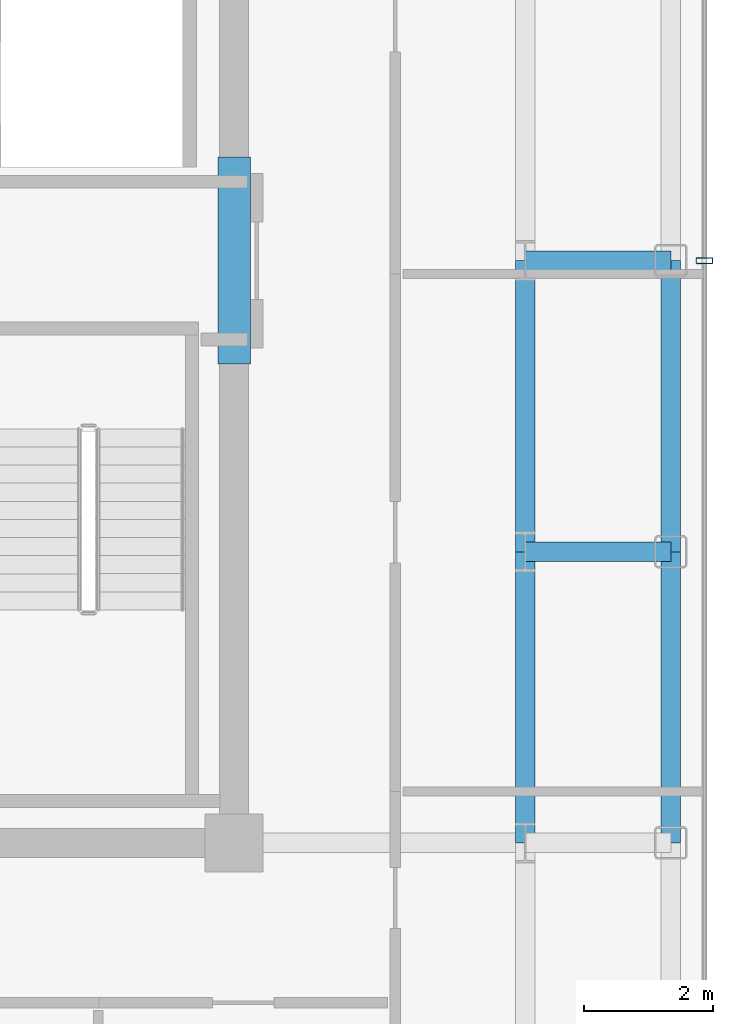
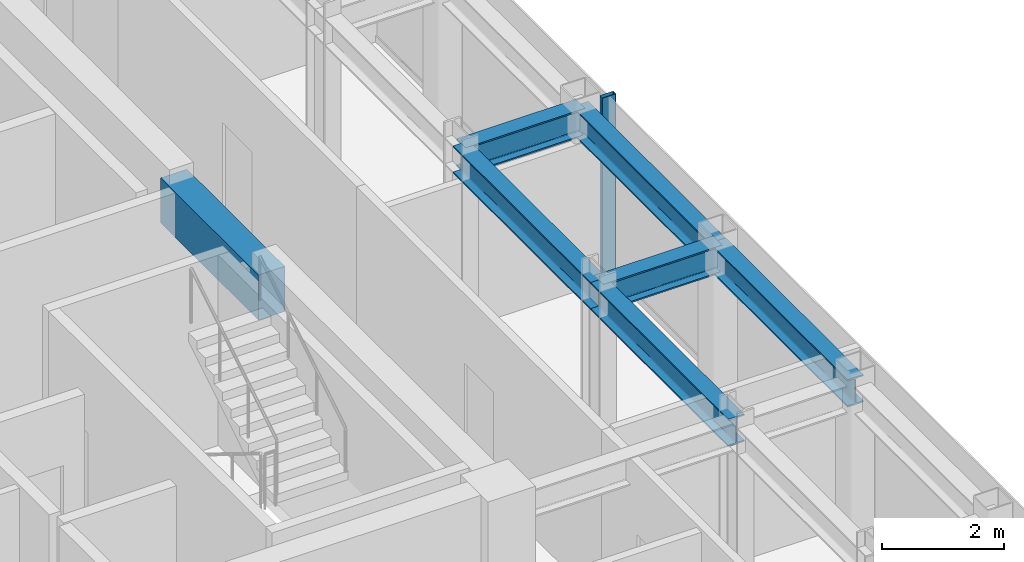
# One storey, part 7 of 18: 7 beams, 1 member, 1 element without a shape of its own.
"""IFC4 building model written with IfcOpenShell, lengths in metres."""

from ifc_helpers import new_model, si_unit, direction, frame, origin, origin_2d, place, context, subcontext, project, spatial, rectangle, hollow_rectangle, i_section, extrude, source, transform, mapped, material, layer, layer_set, material_profile, profile_set, type_object, element, aggregate, save


model = new_model("IFC4")

# Units and contexts
model_context = context("Model", 3, precision=1e-05, world=origin(), true_north=direction((0.0, 1.0)))
body_context = subcontext(model_context, "Body", "Model", "MODEL_VIEW")
ifc_project = project(units=[si_unit("LENGTHUNIT", "METRE"), si_unit("AREAUNIT", "SQUARE_METRE"), si_unit("VOLUMEUNIT", "CUBIC_METRE"), si_unit("PLANEANGLEUNIT", "RADIAN"), si_unit("MASSUNIT", "GRAM", prefix="KILO")], contexts=[model_context])

# Site, building, storey
site_placement = place(None, origin())
site = spatial("IfcSite", under=ifc_project, at=site_placement, CompositionType="ELEMENT")
building_placement = place(site_placement, origin())
building = spatial("IfcBuilding", under=site, at=building_placement, Name="Nefas-Gora Pilgrimage Tower", CompositionType="ELEMENT")
storey_placement = place(building_placement, frame((0.0, 0.0, 314.0)))
storey = spatial("IfcBuildingStorey", under=building, at=storey_placement, Name="L79", CompositionType="ELEMENT", Elevation=314.0)

# Beams
ifc_material_1 = material(Name="Concrete C50/60", Category="concrete")
ifc_material_profile_1 = material_profile(ifc_material_1, rectangle(XDim=0.5, YDim=0.89990234375, at=origin_2d()), Name="RC 500x900")
ifc_profile_set_1 = profile_set([ifc_material_profile_1], Name="Concrete C50/60")
beam_type_1 = type_object("IfcBeamType", Name="BM-LIN-RC900", PredefinedType="LINTEL", material=ifc_profile_set_1)
shared_shape_1 = source(origin(), body_context, "Body", "SweptSolid", [
    extrude(rectangle(XDim=0.5, YDim=0.89990234375, at=origin_2d()), origin(), (0.0, 0.0, 1.0), 3.2001953125),
])
beam_placement = place(storey_placement, frame((11.25, -1.60009765625, 3.050048828125), z_axis=(0.0, 1.0, 0.0), x_axis=(-1.0, 0.0, 0.0)))
element("IfcBeam", 1, at=beam_placement, inside=storey, type_object=beam_type_1, Name="L79 Core Coupling Lintel Beam E", PredefinedType="LINTEL", context=body_context, shape_type="MappedRepresentation", body=[
    mapped(shared_shape_1, transform((0.0, 0.0, 0.0), x_axis=(1.0, 0.0, 0.0), y_axis=(0.0, 1.0, 0.0), z_axis=(0.0, 0.0, 1.0), scale=1.0)),
])
ifc_material_2 = material(Name="Steel S355", Category="steel")
ifc_material_profile_2 = material_profile(ifc_material_2, i_section(OverallWidth=0.300048828125, OverallDepth=0.550048828125, WebThickness=0.014892578125, FlangeThickness=0.029052734375, FilletRadius=0.027099609375, at=origin_2d()), Name="HEB 550")
ifc_profile_set_2 = profile_set([ifc_material_profile_2], Name="Steel S355")
beam_type_2 = type_object("IfcBeamType", Name="BM-SPN-HEB400", PredefinedType="SPANDREL", material=ifc_profile_set_2)
shared_shape_2 = source(origin(), body_context, "Body", "SweptSolid", [
    extrude(i_section(OverallWidth=0.300048828125, OverallDepth=0.550048828125, WebThickness=0.014892578125, FlangeThickness=0.029052734375, FilletRadius=0.027099609375, at=origin_2d()), origin(), (0.0, 0.0, 1.0), 4.5),
])
for number, where, z_axis, x_axis, name in (
    (2, (18.0, -9.0, 3.22509765625), (0.0, 1.0, 0.0), (-1.0, 0.0, 0.0), "L79 SP-04 beam"),
    (3, (18.0, -4.5, 3.22509765625), (0.0, 1.0, 0.0), (-1.0, 0.0, 0.0), "L79 SP-04 beam"),
):
    element("IfcBeam", number, at=place(storey_placement, frame(where, z_axis=z_axis, x_axis=x_axis)), inside=storey, type_object=beam_type_2, Name=name, PredefinedType="SPANDREL", context=body_context, shape_type="MappedRepresentation", body=[
        mapped(shared_shape_2, transform((0.0, 0.0, 0.0), x_axis=(1.0, 0.0, 0.0), y_axis=(0.0, 1.0, 0.0), z_axis=(0.0, 0.0, 1.0), scale=1.0)),
    ])
ifc_material_profile_3 = material_profile(ifc_material_2, i_section(OverallWidth=0.300048828125, OverallDepth=0.550048828125, WebThickness=0.014892578125, FlangeThickness=0.029052734375, FilletRadius=0.027099609375, at=origin_2d()), Name="HEB 550")
ifc_profile_set_3 = profile_set([ifc_material_profile_3], Name="Steel S355")
beam_type_3 = type_object("IfcBeamType", Name="BM-GIR-HEB550", PredefinedType="BEAM", material=ifc_profile_set_3)
shared_shape_3 = source(origin(), body_context, "Body", "SweptSolid", [
    extrude(i_section(OverallWidth=0.300048828125, OverallDepth=0.550048828125, WebThickness=0.014892578125, FlangeThickness=0.029052734375, FilletRadius=0.027099609375, at=origin_2d()), origin(), (0.0, 0.0, 1.0), 4.5),
])
for number, where, z_axis, x_axis, name in (
    (4, (15.75, -9.0, 3.22509765625), (0.0, 1.0, 0.0), (-1.0, 0.0, 0.0), "L79 G-05 beam"),
    (5, (15.75, -4.5, 3.22509765625), (0.0, 1.0, 0.0), (-1.0, 0.0, 0.0), "L79 G-05 beam"),
):
    element("IfcBeam", number, at=place(storey_placement, frame(where, z_axis=z_axis, x_axis=x_axis)), inside=storey, type_object=beam_type_3, Name=name, PredefinedType="BEAM", context=body_context, shape_type="MappedRepresentation", body=[
        mapped(shared_shape_3, transform((0.0, 0.0, 0.0), x_axis=(1.0, 0.0, 0.0), y_axis=(0.0, 1.0, 0.0), z_axis=(0.0, 0.0, 1.0), scale=1.0)),
    ])
shared_shape_4 = source(origin(), body_context, "Body", "SweptSolid", [
    extrude(i_section(OverallWidth=0.300048828125, OverallDepth=0.550048828125, WebThickness=0.014892578125, FlangeThickness=0.029052734375, FilletRadius=0.027099609375, at=origin_2d()), origin(), (0.0, 0.0, 1.0), 2.25),
])
for number, where, z_axis, x_axis, name in (
    (6, (15.75, -4.5, 3.22509765625), (1.0, 0.0, 0.0), (0.0, 1.0, 0.0), "L79 G-05 beam"),
    (7, (15.75, 0.0, 3.22509765625), (1.0, 0.0, 0.0), (0.0, 1.0, 0.0), "L79 G-05 beam"),
):
    element("IfcBeam", number, at=place(storey_placement, frame(where, z_axis=z_axis, x_axis=x_axis)), inside=storey, type_object=beam_type_3, Name=name, PredefinedType="BEAM", context=body_context, shape_type="MappedRepresentation", body=[
        mapped(shared_shape_4, transform((0.0, 0.0, 0.0), x_axis=(1.0, 0.0, 0.0), y_axis=(0.0, 1.0, 0.0), z_axis=(0.0, 0.0, 1.0), scale=1.0)),
    ])

# Curtain wall, member
ifc_material_3 = material(Name="Dark ceramic-fritted solar-control aluminium-glass curtain wall", Category="aluminium")
ifc_layer = layer(ifc_material_3, 0.219970703125)
ifc_layer_set = layer_set([ifc_layer], Name="Dark ceramic-fritted solar-control aluminium-glass curtain wall")
curtain_wall_type = type_object("IfcCurtainWallType", Name="CW-SYS-4", PredefinedType="NOTDEFINED", material=ifc_layer_set)
curtain_wall_placement = place(storey_placement, origin())
curtain_wall = element("IfcCurtainWall", 8, at=curtain_wall_placement, inside=storey, type_object=curtain_wall_type, Name="L79 Unitised Curtain Wall CW4", PredefinedType="NOTDEFINED")
ifc_material_4 = material(Name="Anodised architectural aluminium", Category="aluminium")
ifc_material_profile_4 = material_profile(ifc_material_4, hollow_rectangle(XDim=0.090087890625, YDim=0.260009765625, WallThickness=0.006103515625, InnerFilletRadius=0.006103515625, OuterFilletRadius=0.011962890625, at=origin_2d()), Name="ALU MULLION 90x260")
ifc_profile_set_4 = profile_set([ifc_material_profile_4], Name="Anodised architectural aluminium")
member_type = type_object("IfcMemberType", Name="CWM-MUL-4", PredefinedType="MULLION", material=ifc_profile_set_4)
shared_shape_5 = source(origin(), body_context, "Body", "SweptSolid", [
    extrude(hollow_rectangle(XDim=0.090087890625, YDim=0.260009765625, WallThickness=0.006103515625, InnerFilletRadius=0.006103515625, OuterFilletRadius=0.011962890625, at=origin_2d()), origin(), (0.0, 0.0, 1.0), 3.5),
])
member_placement = place(storey_placement, frame((18.52001953125, 0.0, 0.0), z_axis=(0.0, 0.0, 1.0), x_axis=(0.0, 1.0, 0.0)))
member = element("IfcMember", 9, at=member_placement, type_object=member_type, Name="CW4 Mullion 2", PredefinedType="MULLION", context=body_context, shape_type="MappedRepresentation", body=[
    mapped(shared_shape_5, transform((0.0, 0.0, 0.0), x_axis=(1.0, 0.0, 0.0), y_axis=(0.0, 1.0, 0.0), z_axis=(0.0, 0.0, 1.0), scale=1.0)),
])
aggregate(curtain_wall, [member])

save(model, "model.ifc")
